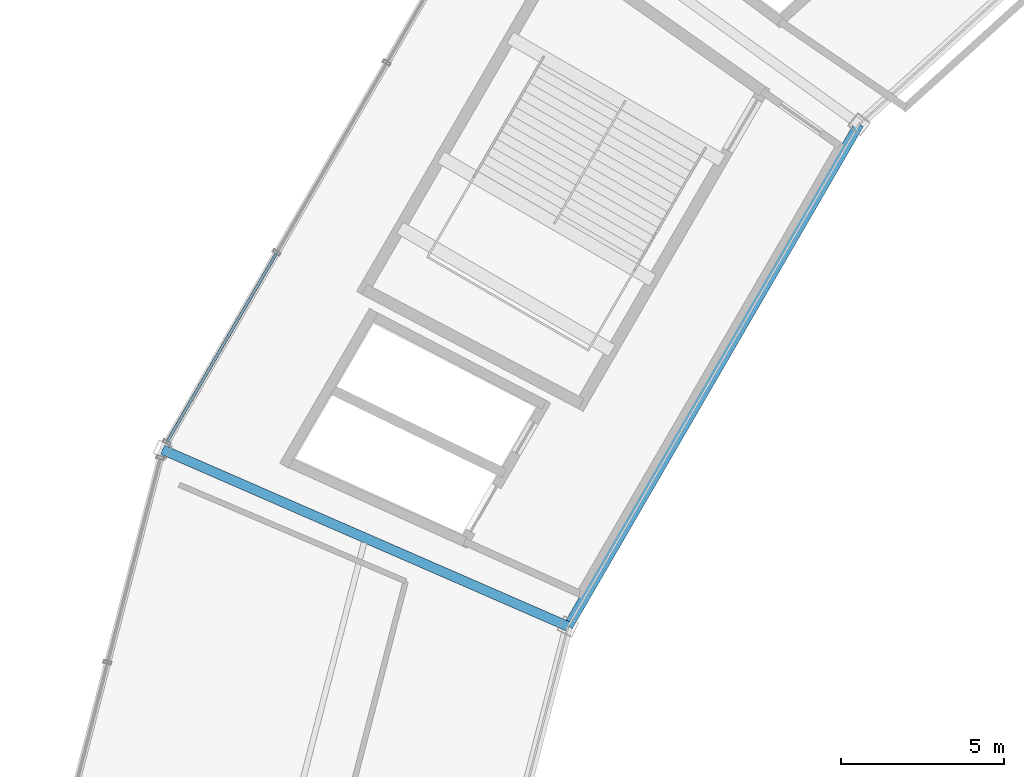
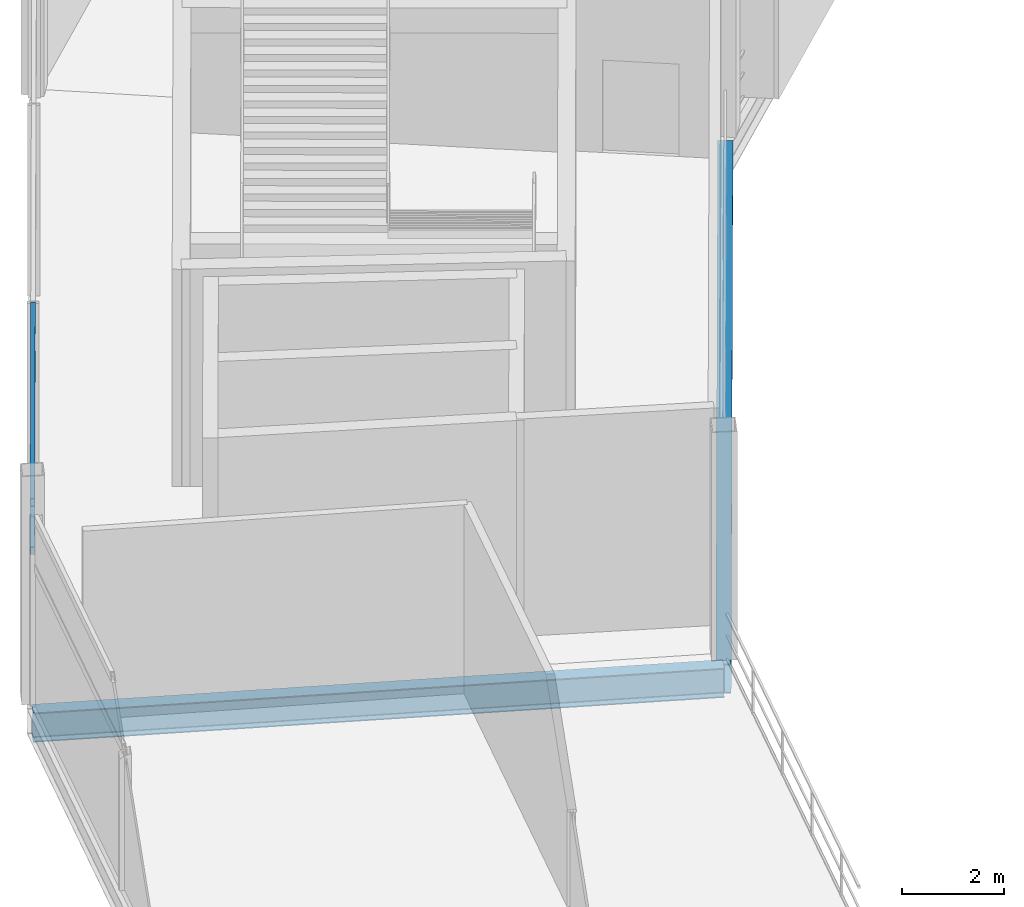
# One storey, part 42 of 103: 2 beams, 2 members, 1 element without a shape of its own.
"""IFC4 building model written with IfcOpenShell, lengths in metres."""

import ifcopenshell
import ifcopenshell.guid

model = None  # the IFC model being written
_history = None  # IfcOwnerHistory: only IFC2X3 demands one
_inside = {}  # id of a spatial element -> (the spatial element, [elements in it])
_under = {}  # id of a project, library or spatial element -> (it, [spatial elements below it])
_declared = {}  # id of a project -> (the project, [libraries it declares])
_typed = {}  # id of a type object -> (the type object, [elements of that type])
_made_of = {}  # id of a material, layer set ... -> (it, [elements and type objects made of it])


def new_model(schema):
    """Start an empty IFC model of exactly this schema.

    Asked for "IFC4X3", IfcOpenShell would pick the latest addendum, in which some entities
    have other attributes; the version numbers below select the first issue.
    IFC2X3 requires an IfcOwnerHistory on every rooted entity: one is made here for all.
    """
    global model, _history
    if schema == "IFC4X3":
        model = ifcopenshell.file(schema_version=(4, 3, 0, 0))
    else:
        model = ifcopenshell.file(schema=schema)
    _inside.clear()
    _under.clear()
    _declared.clear()
    _typed.clear()
    _made_of.clear()
    _history = None
    if model.schema == "IFC2X3":
        org = make("IfcOrganization", Name="unknown")
        user = make(
            "IfcPersonAndOrganization",
            ThePerson=make("IfcPerson", FamilyName="unknown"),
            TheOrganization=org,
        )
        app = make(
            "IfcApplication",
            ApplicationDeveloper=org,
            Version="unknown",
            ApplicationFullName="unknown",
            ApplicationIdentifier="unknown",
        )
        _history = make(
            "IfcOwnerHistory",
            OwningUser=user,
            OwningApplication=app,
            ChangeAction="ADDED",
            CreationDate=0,
        )
    return model


def make(cls, **values):
    """One entity of the class cls with the attributes given. An attribute that is None is left unset."""
    return model.create_entity(
        cls, **{name: value for name, value in values.items() if value is not None}
    )


def rooted(cls, **values):
    """An entity with a GlobalId (a new one), such as an element, a storey or a relation."""
    return make(cls, GlobalId=ifcopenshell.guid.new(), OwnerHistory=_history, **values)


def si_unit(unit_type, name, prefix=None):
    """IfcSIUnit, for example si_unit("LENGTHUNIT", "METRE", prefix="MILLI")."""
    return make("IfcSIUnit", UnitType=unit_type, Prefix=prefix, Name=name)


def assignment(units):
    """IfcUnitAssignment: the units of a project."""
    return None if units is None else make("IfcUnitAssignment", Units=units)


def point(xyz):
    """IfcCartesianPoint."""
    return None if xyz is None else make("IfcCartesianPoint", Coordinates=xyz)


def direction(xyz):
    """IfcDirection."""
    return None if xyz is None else make("IfcDirection", DirectionRatios=xyz)


def frame(location, z_axis=None, x_axis=None):
    """IfcAxis2Placement3D, a coordinate frame: its origin and axes. An axis left out is left unset."""
    return make(
        "IfcAxis2Placement3D",
        Location=point(location),
        Axis=direction(z_axis),
        RefDirection=direction(x_axis),
    )


def frame_2d(location, x_axis=None):
    """IfcAxis2Placement2D, a coordinate frame in the plane: its origin and x axis."""
    return make(
        "IfcAxis2Placement2D", Location=point(location), RefDirection=direction(x_axis)
    )


def origin():
    """The frame at (0, 0, 0) with its axes left unset."""
    return frame((0.0, 0.0, 0.0))


def origin_2d():
    """The frame at (0, 0) in the plane with its x axis left unset."""
    return frame_2d((0.0, 0.0))


def place(relative_to, where):
    """IfcLocalPlacement: puts the frame where relative to a parent placement (None: the world)."""
    return make(
        "IfcLocalPlacement", PlacementRelTo=relative_to, RelativePlacement=where
    )


def context(
    kind, dimensions, precision=None, world=None, true_north=None, identifier=None
):
    """IfcGeometricRepresentationContext, for example the 3D "Model" context."""
    return make(
        "IfcGeometricRepresentationContext",
        ContextIdentifier=identifier,
        ContextType=kind,
        CoordinateSpaceDimension=dimensions,
        Precision=precision,
        WorldCoordinateSystem=world,
        TrueNorth=true_north,
    )


def subcontext(parent, identifier, kind, view, scale=None):
    """IfcGeometricRepresentationSubContext, for example "Body" below "Model"."""
    return make(
        "IfcGeometricRepresentationSubContext",
        ContextIdentifier=identifier,
        ContextType=kind,
        ParentContext=parent,
        TargetScale=scale,
        TargetView=view,
    )


def project(units=None, contexts=None):
    """IfcProject with its units and contexts."""
    return rooted(
        "IfcProject",
        Name="project",
        RepresentationContexts=contexts,
        UnitsInContext=assignment(units),
    )


def spatial(cls, under=None, at=None, **own):
    """A site, building, storey or space (cls), placed at a placement, below another one or the project."""
    s = rooted(cls, ObjectPlacement=at, **own)
    if under is not None:
        _under.setdefault(under.id(), (under, []))[1].append(s)
    return s


def profile(cls, at=None, kind="AREA", **sizes):
    """A parametric profile (cls). Its sizes go by their IFC names, for example OverallWidth=200.0."""
    return make(cls, ProfileType=kind, Position=at, **sizes)


def hollow_rectangle(**sizes):
    """IfcRectangleHollowProfileDef."""
    return profile("IfcRectangleHollowProfileDef", **sizes)


def i_section(**sizes):
    """IfcIShapeProfileDef."""
    return profile("IfcIShapeProfileDef", **sizes)


def extrude(swept, where, along, depth):
    """IfcExtrudedAreaSolid: the profile swept, set in the frame where, extruded along a direction by depth."""
    return make(
        "IfcExtrudedAreaSolid",
        SweptArea=swept,
        Position=where,
        ExtrudedDirection=direction(along),
        Depth=depth,
    )


def shape(context_of_items, identifier, shape_type, items):
    """IfcShapeRepresentation: the items that make up one representation, for example the "Body"."""
    return make(
        "IfcShapeRepresentation",
        ContextOfItems=context_of_items,
        RepresentationIdentifier=identifier,
        RepresentationType=shape_type,
        Items=items,
    )


def material(Name=None, Category=None):
    """IfcMaterial."""
    return make("IfcMaterial", Name=Name, Category=Category)


def layer(
    of_material, thickness, ventilated=None, Name=None, Category=None, Priority=None
):
    """IfcMaterialLayer: one layer of a wall or slab, of a material (None: an air gap)."""
    return make(
        "IfcMaterialLayer",
        Material=of_material,
        LayerThickness=thickness,
        IsVentilated=ventilated,
        Name=Name,
        Category=Category,
        Priority=Priority,
    )


def layer_set(layers, Name=None):
    """IfcMaterialLayerSet."""
    return make("IfcMaterialLayerSet", MaterialLayers=layers, LayerSetName=Name)


def material_profile(
    of_material, cross_section, Name=None, Category=None, Priority=None
):
    """IfcMaterialProfile: a cross section and its material."""
    return make(
        "IfcMaterialProfile",
        Name=Name,
        Material=of_material,
        Profile=cross_section,
        Priority=Priority,
        Category=Category,
    )


def profile_set(profiles, Name=None, composite=None):
    """IfcMaterialProfileSet."""
    return make(
        "IfcMaterialProfileSet",
        Name=Name,
        MaterialProfiles=profiles,
        CompositeProfile=composite,
    )


def made_of(thing, what):
    """Note that an element or type object is made of a material, layer set ...; save() writes the relation."""
    if what is not None:
        _made_of.setdefault(what.id(), (what, []))[1].append(thing)
    return thing


def type_object(cls, material=None, **own):
    """A type object (cls), such as IfcWallType, which elements share."""
    return made_of(rooted(cls, **own), material)


def element(
    cls,
    number,
    at=None,
    inside=None,
    cuts=None,
    type_object=None,
    material=None,
    context=None,
    identifier="Body",
    shape_type=None,
    held_by="IfcProductDefinitionShape",
    body=None,
    shapes=None,
    **own,
):
    """One element of the class cls, such as IfcWall. Its Tag is "e" and its number.

    at: its placement. inside: the storey or other place that contains it. cuts: it is an
    opening in that element (IfcRelVoidsElement). A single representation is given by context,
    identifier, shape_type and body (its items); several are given by shapes. held_by: the class
    of the entity that holds the representations. save() writes the other relations.
    """
    e = rooted(cls, Tag="e%d" % number, ObjectPlacement=at, **own)
    if body is not None:
        shapes = [shape(context, identifier, shape_type, body)]
    if shapes is not None:
        e.Representation = make(held_by, Representations=shapes)
    if inside is not None:
        _inside.setdefault(inside.id(), (inside, []))[1].append(e)
    if cuts is not None:
        rooted(
            "IfcRelVoidsElement", RelatingBuildingElement=cuts, RelatedOpeningElement=e
        )
    if type_object is not None:
        _typed.setdefault(type_object.id(), (type_object, []))[1].append(e)
    return made_of(e, material)


def aggregate(whole, parts):
    """IfcRelAggregates: a whole, such as a stair, and the parts it consists of."""
    return rooted("IfcRelAggregates", RelatingObject=whole, RelatedObjects=parts)


def save(model, path):
    """Write the relations noted so far, then the file.

    IfcRelAggregates (storeys below a building ...), IfcRelContainedInSpatialStructure (elements
    in a storey), IfcRelDefinesByType, IfcRelAssociatesMaterial and IfcRelDeclares: one each for
    every whole, place, type object, material and project.
    """
    for whole, parts in _under.values():
        aggregate(whole, parts)
    for where, things in _inside.values():
        rooted(
            "IfcRelContainedInSpatialStructure",
            RelatedElements=things,
            RelatingStructure=where,
        )
    for kind, things in _typed.values():
        rooted("IfcRelDefinesByType", RelatedObjects=things, RelatingType=kind)
    for what, things in _made_of.values():
        rooted("IfcRelAssociatesMaterial", RelatedObjects=things, RelatingMaterial=what)
    for by, libraries in _declared.values():
        rooted("IfcRelDeclares", RelatingContext=by, RelatedDefinitions=libraries)
    model.write(path)


model = new_model("IFC4")

# Units and contexts
model_context = context("Model", 3, precision=1e-05, world=origin(), true_north=direction((0.0, 1.0)))
body_context = subcontext(model_context, "Body", "Model", "MODEL_VIEW")
ifc_project = project(units=[si_unit("LENGTHUNIT", "METRE"), si_unit("AREAUNIT", "SQUARE_METRE"), si_unit("VOLUMEUNIT", "CUBIC_METRE"), si_unit("PLANEANGLEUNIT", "RADIAN"), si_unit("MASSUNIT", "GRAM", prefix="KILO")], contexts=[model_context])

# Site, building, storey
site_placement = place(None, origin())
site = spatial("IfcSite", under=ifc_project, at=site_placement, CompositionType="ELEMENT")
building_placement = place(site_placement, origin())
building = spatial("IfcBuilding", under=site, at=building_placement, Name="Kazemori Nagisa Stadium", CompositionType="ELEMENT")
storey_placement = place(building_placement, frame((0.0, 0.0, 25.840087890625)))
storey = spatial("IfcBuildingStorey", under=building, at=storey_placement, Name="L05", CompositionType="ELEMENT", Elevation=25.840087890625)

# Beams
ifc_material_1 = material(Name="Steel SN490B", Category="steel")
ifc_material_profile_1 = material_profile(ifc_material_1, i_section(OverallWidth=0.300048828125, OverallDepth=0.699951171875, WebThickness=0.012939453125, FlangeThickness=0.02392578125, FilletRadius=0.01806640625, at=origin_2d()), Name="H-700x300x13x24")
ifc_profile_set_1 = profile_set([ifc_material_profile_1], Name="Steel SN490B")
beam_type = type_object("IfcBeamType", Name="Beam_BG-H700", PredefinedType="BEAM", material=ifc_profile_set_1)
beam_1_placement = place(storey_placement, frame((55.493896484375, 150.734130859375, -0.610107421875), z_axis=(-0.501606704589, -0.865095783085, 0.0), x_axis=(0.865095783085, -0.501606704589, 0.0)))
element("IfcBeam", 1, at=beam_1_placement, inside=storey, type_object=beam_type, Name="Ring girder BG-H700 L05 R2-12", PredefinedType="BEAM", context=body_context, shape_type="SweptSolid", body=[
    extrude(i_section(OverallWidth=0.300048828125, OverallDepth=0.699951171875, WebThickness=0.012939453125, FlangeThickness=0.02392578125, FilletRadius=0.01806640625, at=origin_2d()), origin(), (0.0, 0.0, 1.0), 17.8125),
])
beam_2_placement = place(storey_placement, frame((46.55908203125, 135.32470703125, -0.610107421875), z_axis=(-0.916683633521, 0.399613708517, 0.0), x_axis=(-0.399613708517, -0.916683633521, 0.0)))
element("IfcBeam", 2, at=beam_2_placement, inside=storey, type_object=beam_type, Name="Radial girder BG-H700 L05 R2-R3-13", PredefinedType="BEAM", context=body_context, shape_type="SweptSolid", body=[
    extrude(i_section(OverallWidth=0.300048828125, OverallDepth=0.699951171875, WebThickness=0.012939453125, FlangeThickness=0.02392578125, FilletRadius=0.01806640625, at=origin_2d()), origin(), (0.0, 0.0, 1.0), 13.5751953125),
])

# Curtain wall, members
ifc_material_2 = material(Name="Anodised aluminium 6063-T5", Category="aluminium")
ifc_layer = layer(ifc_material_2, 0.239990234375, Name="Anodised aluminium 6063-T5", Category="aluminium")
ifc_layer_set = layer_set([ifc_layer], Name="Anodised aluminium 6063-T5")
curtain_wall_type = type_object("IfcCurtainWallType", Name="CW_L05R3_101", PredefinedType="USERDEFINED", material=ifc_layer_set)
curtain_wall_placement = place(storey_placement, origin())
curtain_wall = element("IfcCurtainWall", 3, at=curtain_wall_placement, inside=storey, type_object=curtain_wall_type, Name="Unitised curtain wall CW-L05R3-101 L05", ObjectType="UNITISED CURTAIN WALL", PredefinedType="USERDEFINED")
ifc_material_3 = material(Name="Aluminium 6063-T5 anodised", Category="aluminium")
ifc_material_profile_2 = material_profile(ifc_material_3, hollow_rectangle(XDim=0.090087890625, YDim=0.179931640625, WallThickness=0.0048828125, at=origin_2d()), Name="ALU-TRAN-90x180x5")
ifc_profile_set_2 = profile_set([ifc_material_profile_2], Name="Aluminium 6063-T5 anodised")
member_type = type_object("IfcMemberType", Name="Transom_T03", PredefinedType="USERDEFINED", material=ifc_profile_set_2)
member_1_placement = place(storey_placement, frame((37.61083984375, 146.778564453125, 3.306884765625), z_axis=(-0.50161984125, -0.865088165948, 0.0), x_axis=(0.865088165948, -0.50161984125, 0.0)))
member_1 = element("IfcMember", 4, at=member_1_placement, type_object=member_type, Name="Curtain wall transom CW-L05R3-101-T3-mid", ObjectType="TRANSOM", PredefinedType="USERDEFINED", context=body_context, shape_type="SweptSolid", body=[
    extrude(hollow_rectangle(XDim=0.090087890625, YDim=0.179931640625, WallThickness=0.0048828125, at=origin_2d()), origin(), (0.0, 0.0, 1.0), 6.694091796875),
])
member_2_placement = place(storey_placement, frame((37.61083984375, 146.778564453125, 4.4599609375), z_axis=(-0.50161984125, -0.865088165948, 0.0), x_axis=(0.865088165948, -0.50161984125, 0.0)))
member_2 = element("IfcMember", 5, at=member_2_placement, type_object=member_type, Name="Curtain wall transom CW-L05R3-101-T3-head", ObjectType="TRANSOM", PredefinedType="USERDEFINED", context=body_context, shape_type="SweptSolid", body=[
    extrude(hollow_rectangle(XDim=0.090087890625, YDim=0.179931640625, WallThickness=0.0048828125, at=origin_2d()), origin(), (0.0, 0.0, 1.0), 6.694091796875),
])
aggregate(curtain_wall, [member_1, member_2])

save(model, "model.ifc")
